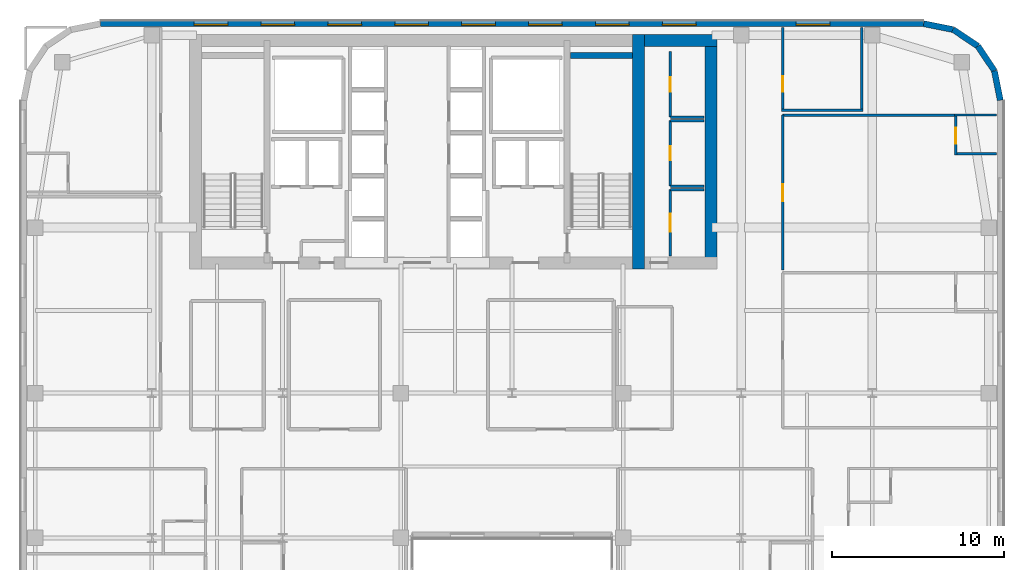
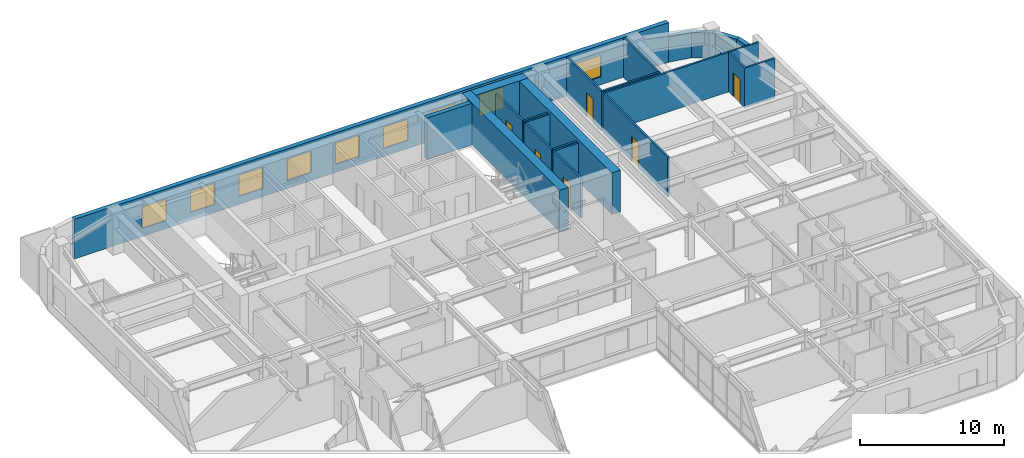
# One storey, part 19 of 25: 24 walls, 9 windows, 6 doors, 15 openings.
"""IFC4 building model written with IfcOpenShell, lengths in metres."""

from ifc_helpers import new_model, si_unit, direction, frame, frame_2d, origin, place, context, subcontext, project, spatial, rectangle, extrude, source, transform, mapped, material, layer, layer_set, type_object, type_shapes, element, fill, save


model = new_model("IFC4")

# Units and contexts
model_context = context("Model", 3, precision=1e-05, world=origin(), true_north=direction((0.0, 1.0)))
body_context = subcontext(model_context, "Body", "Model", "MODEL_VIEW")
ifc_project = project(units=[si_unit("LENGTHUNIT", "METRE"), si_unit("AREAUNIT", "SQUARE_METRE"), si_unit("VOLUMEUNIT", "CUBIC_METRE"), si_unit("PLANEANGLEUNIT", "RADIAN"), si_unit("MASSUNIT", "GRAM", prefix="KILO")], contexts=[model_context])

# Site, building, storey
site_placement = place(None, origin())
site = spatial("IfcSite", under=ifc_project, at=site_placement, CompositionType="ELEMENT")
building_placement = place(site_placement, origin())
building = spatial("IfcBuilding", under=site, at=building_placement, Name="Tolvann Quenvar Hotel", CompositionType="ELEMENT")
storey_placement = place(building_placement, frame((0.0, 0.0, 132.85009765625)))
storey = spatial("IfcBuildingStorey", under=building, at=storey_placement, Name="L34", CompositionType="ELEMENT", Elevation=132.85009765625)

# Walls
ifc_material_1 = material(Name="Concrete S65 (65 MPa)", Category="concrete")
ifc_layer_1 = layer(ifc_material_1, 0.699951171875)
ifc_layer_set_1 = layer_set([ifc_layer_1], Name="Concrete S65 (65 MPa)")
wall_type_1 = type_object("IfcWallType", Name="WALL_CORE_700", PredefinedType="SHEAR", material=ifc_layer_set_1)
wall_1_placement = place(storey_placement, frame((35.85009765625, 31.60009765625, 0.0), z_axis=(0.0, 0.0, 1.0), x_axis=(0.0, 1.0, 0.0)))
element("IfcWall", 1, at=wall_1_placement, inside=storey, type_object=wall_type_1, Name="Rear Core E Shear Wall (L34)", PredefinedType="SHEAR", context=body_context, shape_type="SweptSolid", body=[
    extrude(rectangle(XDim=13.599853515625, YDim=0.699951171875, at=frame_2d((6.7998046875, 0.0))), origin(), (0.0, 0.0, 1.0), 3.5498046875),
])
wall_2_placement = place(storey_placement, frame((36.199951171875, 44.85009765625, 0.0), z_axis=(0.0, 0.0, 1.0), x_axis=(1.0, 0.0, 0.0)))
element("IfcWall", 2, at=wall_2_placement, inside=storey, type_object=wall_type_1, Name="Core East Annex Shear Wall ANN-N (L34)", PredefinedType="SHEAR", context=body_context, shape_type="SweptSolid", body=[
    extrude(rectangle(XDim=4.199951171875, YDim=0.699951171875, at=frame_2d((2.10009765625, 0.0))), origin(), (0.0, 0.0, 1.0), 3.5498046875),
])
wall_3_placement = place(storey_placement, frame((40.050048828125, 31.60009765625, 0.0), z_axis=(0.0, 0.0, 1.0), x_axis=(0.0, 1.0, 0.0)))
element("IfcWall", 3, at=wall_3_placement, inside=storey, type_object=wall_type_1, Name="Core East Annex Shear Wall ANN-E (L34)", PredefinedType="SHEAR", context=body_context, shape_type="SweptSolid", body=[
    extrude(rectangle(XDim=13.599853515625, YDim=0.699951171875, at=frame_2d((6.7998046875, 0.0))), origin(), (0.0, 0.0, 1.0), 3.5498046875),
])
ifc_layer_2 = layer(ifc_material_1, 0.35009765625)
ifc_layer_set_2 = layer_set([ifc_layer_2], Name="Concrete S65 (65 MPa)")
wall_type_2 = type_object("IfcWallType", Name="WALL_CORE_INT_350", PredefinedType="SHEAR", material=ifc_layer_set_2)
wall_4_placement = place(storey_placement, frame((31.8798828125, 43.97509765625, 0.0), z_axis=(0.0, 0.0, 1.0), x_axis=(1.0, 0.0, 0.0)))
element("IfcWall", 4, at=wall_4_placement, inside=storey, type_object=wall_type_2, Name="Core Stair North Closing Shear Wall STC2-N (L34)", PredefinedType="SHEAR", context=body_context, shape_type="SweptSolid", body=[
    extrude(rectangle(XDim=3.60009765625, YDim=0.35009765625, at=frame_2d((1.800048828125, 0.0))), origin(), (0.0, 0.0, 1.0), 3.5498046875),
])
ifc_material_2 = material(Name="Kiln-fired red and buff architectural clay brickwork and terracotta masonry", Category="masonry")
ifc_layer_3 = layer(ifc_material_2, 0.35009765625)
ifc_layer_set_3 = layer_set([ifc_layer_3], Name="Kiln-fired red and buff architectural clay brickwork and terracotta masonry")
wall_type_3 = type_object("IfcWallType", Name="WALL_EXT_BRICK_350", PredefinedType="SOLIDWALL", material=ifc_layer_set_3)
wall_5_placement = place(storey_placement, frame((56.824951171875, 41.3828125, 0.0), z_axis=(0.0, 0.0, 1.0), x_axis=(-0.195011420161, 0.980800971659, 0.0)))
element("IfcWall", 5, at=wall_5_placement, inside=storey, type_object=wall_type_3, Name="Exterior Chicago Brick Wall L34-E14", PredefinedType="SOLIDWALL", context=body_context, shape_type="SweptSolid", body=[
    extrude(rectangle(XDim=1.74267578125, YDim=0.35009765625, at=frame_2d((0.871337890625, 0.0))), origin(), (0.0, 0.0, 1.0), 2.159912109375),
])
for number, where, z_axis, x_axis, name in (
    (6, (56.485107421875, 43.092041015625, 0.0), (0.0, 0.0, 1.0), (-0.55554893791, 0.831483840845, 0.0), "Exterior Chicago Brick Wall L34-E15"),
    (7, (55.526611328125, 44.526611328125, 0.0), (0.0, 0.0, 1.0), (-0.831483840845, 0.55554893791, 0.0), "Exterior Chicago Brick Wall L34-E16"),
):
    element("IfcWall", number, at=place(storey_placement, frame(where, z_axis=z_axis, x_axis=x_axis)), inside=storey, type_object=wall_type_3, Name=name, PredefinedType="SOLIDWALL", context=body_context, shape_type="SweptSolid", body=[
        extrude(rectangle(XDim=1.725341796875, YDim=0.35009765625, at=frame_2d((0.86279296875, 0.0))), origin(), (0.0, 0.0, 1.0), 2.159912109375),
    ])
wall_6_placement = place(storey_placement, frame((54.092041015625, 45.485107421875, 0.0), z_axis=(0.0, 0.0, 1.0), x_axis=(-0.980800971659, 0.195011420161, 0.0)))
element("IfcWall", 8, at=wall_6_placement, inside=storey, type_object=wall_type_3, Name="Exterior Chicago Brick Wall L34-E17", PredefinedType="SOLIDWALL", context=body_context, shape_type="SweptSolid", body=[
    extrude(rectangle(XDim=1.74267578125, YDim=0.35009765625, at=frame_2d((0.871337890625, 0.0))), origin(), (0.0, 0.0, 1.0), 2.159912109375),
])

# Wall, openings, windows
wall_7_placement = place(storey_placement, frame((52.3828125, 45.824951171875, 0.0), z_axis=(0.0, 0.0, 1.0), x_axis=(-1.0, 0.0, 0.0)))
wall_7 = element("IfcWall", 9, at=wall_7_placement, inside=storey, type_object=wall_type_3, Name="Exterior Chicago Brick Wall L34-E18", PredefinedType="SOLIDWALL", context=body_context, shape_type="SweptSolid", body=[
    extrude(rectangle(XDim=47.765625, YDim=0.35009765625, at=frame_2d((23.8828125, 0.0))), origin(), (0.0, 0.0, 1.0), 3.369873046875),
])
opening_1_placement = place(wall_7_placement, frame((5.446044921875, 0.0, 0.679931640625)))
opening_1 = element("IfcOpeningElement", 10, at=opening_1_placement, cuts=wall_7, Name="Opening W-10", PredefinedType="OPENING", context=body_context, shape_type="SweptSolid", body=[
    extrude(rectangle(XDim=1.949951171875, YDim=1.820068359375, at=frame_2d((0.97509765625, 0.91015625))), frame((0.0, 0.18505859375, 0.0), z_axis=(0.0, -1.0, 0.0), x_axis=(1.0, 0.0, 0.0)), (0.0, 0.0, 1.0), 0.3701171875),
])
opening_2_placement = place(wall_7_placement, frame((13.20703125, 0.0, 0.679931640625)))
opening_2 = element("IfcOpeningElement", 11, at=opening_2_placement, cuts=wall_7, Name="Opening W-10", PredefinedType="OPENING", context=body_context, shape_type="SweptSolid", body=[
    extrude(rectangle(XDim=1.949951171875, YDim=1.820068359375, at=frame_2d((0.97509765625, 0.91015625))), frame((0.0, 0.18505859375, 0.0), z_axis=(0.0, -1.0, 0.0), x_axis=(1.0, 0.0, 0.0)), (0.0, 0.0, 1.0), 0.3701171875),
])
opening_3_placement = place(wall_7_placement, frame((17.0869140625, 0.0, 0.679931640625)))
opening_3 = element("IfcOpeningElement", 12, at=opening_3_placement, cuts=wall_7, Name="Opening W-10", PredefinedType="OPENING", context=body_context, shape_type="SweptSolid", body=[
    extrude(rectangle(XDim=1.949951171875, YDim=1.820068359375, at=frame_2d((0.97509765625, 0.91015625))), frame((0.0, 0.18505859375, 0.0), z_axis=(0.0, -1.0, 0.0), x_axis=(1.0, 0.0, 0.0)), (0.0, 0.0, 1.0), 0.3701171875),
])
opening_4_placement = place(wall_7_placement, frame((20.968017578125, 0.0, 0.679931640625)))
opening_4 = element("IfcOpeningElement", 13, at=opening_4_placement, cuts=wall_7, Name="Opening W-10", PredefinedType="OPENING", context=body_context, shape_type="SweptSolid", body=[
    extrude(rectangle(XDim=1.949951171875, YDim=1.820068359375, at=frame_2d((0.97509765625, 0.91015625))), frame((0.0, 0.18505859375, 0.0), z_axis=(0.0, -1.0, 0.0), x_axis=(1.0, 0.0, 0.0)), (0.0, 0.0, 1.0), 0.3701171875),
])
opening_5_placement = place(wall_7_placement, frame((24.847900390625, 0.0, 0.679931640625)))
opening_5 = element("IfcOpeningElement", 14, at=opening_5_placement, cuts=wall_7, Name="Opening W-10", PredefinedType="OPENING", context=body_context, shape_type="SweptSolid", body=[
    extrude(rectangle(XDim=1.949951171875, YDim=1.820068359375, at=frame_2d((0.97509765625, 0.91015625))), frame((0.0, 0.18505859375, 0.0), z_axis=(0.0, -1.0, 0.0), x_axis=(1.0, 0.0, 0.0)), (0.0, 0.0, 1.0), 0.3701171875),
])
opening_6_placement = place(wall_7_placement, frame((28.72900390625, 0.0, 0.679931640625)))
opening_6 = element("IfcOpeningElement", 15, at=opening_6_placement, cuts=wall_7, Name="Opening W-10", PredefinedType="OPENING", context=body_context, shape_type="SweptSolid", body=[
    extrude(rectangle(XDim=1.949951171875, YDim=1.820068359375, at=frame_2d((0.97509765625, 0.91015625))), frame((0.0, 0.18505859375, 0.0), z_axis=(0.0, -1.0, 0.0), x_axis=(1.0, 0.0, 0.0)), (0.0, 0.0, 1.0), 0.3701171875),
])
opening_7_placement = place(wall_7_placement, frame((32.60888671875, 0.0, 0.679931640625)))
opening_7 = element("IfcOpeningElement", 16, at=opening_7_placement, cuts=wall_7, Name="Opening W-10", PredefinedType="OPENING", context=body_context, shape_type="SweptSolid", body=[
    extrude(rectangle(XDim=1.949951171875, YDim=1.820068359375, at=frame_2d((0.97509765625, 0.91015625))), frame((0.0, 0.18505859375, 0.0), z_axis=(0.0, -1.0, 0.0), x_axis=(1.0, 0.0, 0.0)), (0.0, 0.0, 1.0), 0.3701171875),
])
opening_8_placement = place(wall_7_placement, frame((36.489013671875, 0.0, 0.679931640625)))
opening_8 = element("IfcOpeningElement", 17, at=opening_8_placement, cuts=wall_7, Name="Opening W-10", PredefinedType="OPENING", context=body_context, shape_type="SweptSolid", body=[
    extrude(rectangle(XDim=1.949951171875, YDim=1.820068359375, at=frame_2d((0.97509765625, 0.91015625))), frame((0.0, 0.18505859375, 0.0), z_axis=(0.0, -1.0, 0.0), x_axis=(1.0, 0.0, 0.0)), (0.0, 0.0, 1.0), 0.3701171875),
])
opening_9_placement = place(wall_7_placement, frame((40.3701171875, 0.0, 0.679931640625)))
opening_9 = element("IfcOpeningElement", 18, at=opening_9_placement, cuts=wall_7, Name="Opening W-10", PredefinedType="OPENING", context=body_context, shape_type="SweptSolid", body=[
    extrude(rectangle(XDim=1.949951171875, YDim=1.820068359375, at=frame_2d((0.97509765625, 0.91015625))), frame((0.0, 0.18505859375, 0.0), z_axis=(0.0, -1.0, 0.0), x_axis=(1.0, 0.0, 0.0)), (0.0, 0.0, 1.0), 0.3701171875),
])
ifc_material_3 = material(Name="Thermally broken bronze-anodised aluminium frame with double low-E glazing", Category="aluminium")
window_type = type_object("IfcWindowType", Name="WIN_CLB_1950x1850", PartitioningType="DOUBLE_PANEL_VERTICAL", PredefinedType="WINDOW", material=ifc_material_3)
shared_shape_1 = source(origin(), body_context, "Body", "SweptSolid", [
    extrude(rectangle(XDim=1.949951171875, YDim=1.820068359375, at=frame_2d((0.97509765625, 0.91015625))), frame((0.0, 0.090087890625, 0.0), z_axis=(0.0, -1.0, 0.0), x_axis=(1.0, 0.0, 0.0)), (0.0, 0.0, 1.0), 0.06005859375),
])
type_shapes(window_type, [shared_shape_1])
window_1_placement = place(opening_1_placement, origin())
window_1 = element("IfcWindow", 19, at=window_1_placement, inside=storey, type_object=window_type, Name="Chicago Window W-10 (EW-L34-E18-W01)", OverallHeight=1.820068359375, OverallWidth=1.949951171875, PartitioningType="DOUBLE_PANEL_VERTICAL", PredefinedType="WINDOW", context=body_context, shape_type="MappedRepresentation", body=[
    mapped(shared_shape_1, transform((0.0, 0.0, 0.0), x_axis=(1.0, 0.0, 0.0), y_axis=(0.0, 1.0, 0.0), z_axis=(0.0, 0.0, 1.0), scale=1.0)),
])
fill(opening_1, window_1)
window_2_placement = place(opening_2_placement, origin())
window_2 = element("IfcWindow", 20, at=window_2_placement, inside=storey, type_object=window_type, Name="Chicago Window W-10 (EW-L34-E18-W02)", OverallHeight=1.820068359375, OverallWidth=1.949951171875, PartitioningType="DOUBLE_PANEL_VERTICAL", PredefinedType="WINDOW", context=body_context, shape_type="MappedRepresentation", body=[
    mapped(shared_shape_1, transform((0.0, 0.0, 0.0), x_axis=(1.0, 0.0, 0.0), y_axis=(0.0, 1.0, 0.0), z_axis=(0.0, 0.0, 1.0), scale=1.0)),
])
fill(opening_2, window_2)
window_3_placement = place(opening_3_placement, origin())
window_3 = element("IfcWindow", 21, at=window_3_placement, inside=storey, type_object=window_type, Name="Chicago Window W-10 (EW-L34-E18-W03)", OverallHeight=1.820068359375, OverallWidth=1.949951171875, PartitioningType="DOUBLE_PANEL_VERTICAL", PredefinedType="WINDOW", context=body_context, shape_type="MappedRepresentation", body=[
    mapped(shared_shape_1, transform((0.0, 0.0, 0.0), x_axis=(1.0, 0.0, 0.0), y_axis=(0.0, 1.0, 0.0), z_axis=(0.0, 0.0, 1.0), scale=1.0)),
])
fill(opening_3, window_3)
window_4_placement = place(opening_4_placement, origin())
window_4 = element("IfcWindow", 22, at=window_4_placement, inside=storey, type_object=window_type, Name="Chicago Window W-10 (EW-L34-E18-W04)", OverallHeight=1.820068359375, OverallWidth=1.949951171875, PartitioningType="DOUBLE_PANEL_VERTICAL", PredefinedType="WINDOW", context=body_context, shape_type="MappedRepresentation", body=[
    mapped(shared_shape_1, transform((0.0, 0.0, 0.0), x_axis=(1.0, 0.0, 0.0), y_axis=(0.0, 1.0, 0.0), z_axis=(0.0, 0.0, 1.0), scale=1.0)),
])
fill(opening_4, window_4)
window_5_placement = place(opening_5_placement, origin())
window_5 = element("IfcWindow", 23, at=window_5_placement, inside=storey, type_object=window_type, Name="Chicago Window W-10 (EW-L34-E18-W05)", OverallHeight=1.820068359375, OverallWidth=1.949951171875, PartitioningType="DOUBLE_PANEL_VERTICAL", PredefinedType="WINDOW", context=body_context, shape_type="MappedRepresentation", body=[
    mapped(shared_shape_1, transform((0.0, 0.0, 0.0), x_axis=(1.0, 0.0, 0.0), y_axis=(0.0, 1.0, 0.0), z_axis=(0.0, 0.0, 1.0), scale=1.0)),
])
fill(opening_5, window_5)
window_6_placement = place(opening_6_placement, origin())
window_6 = element("IfcWindow", 24, at=window_6_placement, inside=storey, type_object=window_type, Name="Chicago Window W-10 (EW-L34-E18-W06)", OverallHeight=1.820068359375, OverallWidth=1.949951171875, PartitioningType="DOUBLE_PANEL_VERTICAL", PredefinedType="WINDOW", context=body_context, shape_type="MappedRepresentation", body=[
    mapped(shared_shape_1, transform((0.0, 0.0, 0.0), x_axis=(1.0, 0.0, 0.0), y_axis=(0.0, 1.0, 0.0), z_axis=(0.0, 0.0, 1.0), scale=1.0)),
])
fill(opening_6, window_6)
window_7_placement = place(opening_7_placement, origin())
window_7 = element("IfcWindow", 25, at=window_7_placement, inside=storey, type_object=window_type, Name="Chicago Window W-10 (EW-L34-E18-W07)", OverallHeight=1.820068359375, OverallWidth=1.949951171875, PartitioningType="DOUBLE_PANEL_VERTICAL", PredefinedType="WINDOW", context=body_context, shape_type="MappedRepresentation", body=[
    mapped(shared_shape_1, transform((0.0, 0.0, 0.0), x_axis=(1.0, 0.0, 0.0), y_axis=(0.0, 1.0, 0.0), z_axis=(0.0, 0.0, 1.0), scale=1.0)),
])
fill(opening_7, window_7)
window_8_placement = place(opening_8_placement, origin())
window_8 = element("IfcWindow", 26, at=window_8_placement, inside=storey, type_object=window_type, Name="Chicago Window W-10 (EW-L34-E18-W08)", OverallHeight=1.820068359375, OverallWidth=1.949951171875, PartitioningType="DOUBLE_PANEL_VERTICAL", PredefinedType="WINDOW", context=body_context, shape_type="MappedRepresentation", body=[
    mapped(shared_shape_1, transform((0.0, 0.0, 0.0), x_axis=(1.0, 0.0, 0.0), y_axis=(0.0, 1.0, 0.0), z_axis=(0.0, 0.0, 1.0), scale=1.0)),
])
fill(opening_8, window_8)
window_9_placement = place(opening_9_placement, origin())
window_9 = element("IfcWindow", 27, at=window_9_placement, inside=storey, type_object=window_type, Name="Chicago Window W-10 (EW-L34-E18-W09)", OverallHeight=1.820068359375, OverallWidth=1.949951171875, PartitioningType="DOUBLE_PANEL_VERTICAL", PredefinedType="WINDOW", context=body_context, shape_type="MappedRepresentation", body=[
    mapped(shared_shape_1, transform((0.0, 0.0, 0.0), x_axis=(1.0, 0.0, 0.0), y_axis=(0.0, 1.0, 0.0), z_axis=(0.0, 0.0, 1.0), scale=1.0)),
])
fill(opening_9, window_9)

# Wall
ifc_material_4 = material(Name="Moisture-resistant acoustic plumbing wall assembly")
ifc_layer_4 = layer(ifc_material_4, 0.1201171875)
ifc_layer_set_4 = layer_set([ifc_layer_4], Name="Moisture-resistant acoustic plumbing wall assembly")
wall_type_4 = type_object("IfcWallType", Name="WALL_PART_BATH_120", PredefinedType="PLUMBINGWALL", material=ifc_layer_set_4)
wall_8_placement = place(storey_placement, frame((54.179931640625, 40.52001953125, 0.0), z_axis=(0.0, 0.0, 1.0), x_axis=(1.0, 0.0, 0.0)))
element("IfcWall", 28, at=wall_8_placement, inside=storey, type_object=wall_type_4, Name="Non-Rated Plumbing Partition PT-SPC-L34-ENS-NE02-N", PredefinedType="PLUMBINGWALL", context=body_context, shape_type="SweptSolid", body=[
    extrude(rectangle(XDim=2.4150390625, YDim=0.1201171875, at=frame_2d((1.20751953125, 0.0))), origin(), (0.0, 0.0, 1.0), 3.369873046875),
])

# Wall, opening, door
ifc_material_5 = material(Name="Acoustic twin-stud fire-rated gypsum plasterboard partition")
ifc_layer_5 = layer(ifc_material_5, 0.14990234375)
ifc_layer_set_5 = layer_set([ifc_layer_5], Name="Acoustic twin-stud fire-rated gypsum plasterboard partition")
wall_type_5 = type_object("IfcWallType", Name="WALL_PART_SUITE_150", PredefinedType="PARTITIONING", material=ifc_layer_set_5)
wall_9_placement = place(storey_placement, frame((54.25, 38.199951171875, 0.0), z_axis=(0.0, 0.0, 1.0), x_axis=(0.0, 1.0, 0.0)))
wall_9 = element("IfcWall", 29, at=wall_9_placement, inside=storey, type_object=wall_type_5, Name="Interior Partition PT-SPC-L34-ENS-NE02-ENT", PredefinedType="PARTITIONING", context=body_context, shape_type="SweptSolid", body=[
    extrude(rectangle(XDim=2.39013671875, YDim=0.14990234375, at=frame_2d((1.195068359375, 0.0))), origin(), (0.0, 0.0, 1.0), 3.369873046875),
])
opening_10_placement = place(wall_9_placement, frame((0.6650390625, 0.0, 0.0)))
opening_10 = element("IfcOpeningElement", 30, at=opening_10_placement, cuts=wall_9, Name="Opening WD-01", PredefinedType="OPENING", context=body_context, shape_type="SweptSolid", body=[
    extrude(rectangle(XDim=0.919921875, YDim=2.010009765625, at=frame_2d((0.4599609375, 1.0048828125))), frame((0.0, 0.0849609375, 0.0), z_axis=(0.0, -1.0, 0.0), x_axis=(1.0, 0.0, 0.0)), (0.0, 0.0, 1.0), 0.169921875),
])
ifc_material_6 = material(Name="Solid-core American oak acoustic fire door leaf in steel frame", Category="steel")
door_type_1 = type_object("IfcDoorType", Name="DOOR_WC_920", OperationType="NOTDEFINED", PredefinedType="DOOR", material=ifc_material_6)
shared_shape_2 = source(origin(), body_context, "Body", "SweptSolid", [
    extrude(rectangle(XDim=0.919921875, YDim=2.010009765625, at=frame_2d((0.4599609375, 1.0048828125))), frame((0.0, 0.02490234375, 0.0), z_axis=(0.0, -1.0, 0.0), x_axis=(1.0, 0.0, 0.0)), (0.0, 0.0, 1.0), 0.050048828125),
])
type_shapes(door_type_1, [shared_shape_2])
door_1_placement = place(opening_10_placement, origin())
door_1 = element("IfcDoor", 31, at=door_1_placement, inside=storey, type_object=door_type_1, Name="Interior Door DOOR-SPC-L34-ENS-NE02", OperationType="SINGLE_SWING_LEFT", OverallHeight=2.010009765625, OverallWidth=0.919921875, PredefinedType="DOOR", context=body_context, shape_type="MappedRepresentation", body=[
    mapped(shared_shape_2, transform((0.0, 0.0, 0.0), x_axis=(1.0, 0.0, 0.0), y_axis=(0.0, 1.0, 0.0), z_axis=(0.0, 0.0, 1.0), scale=1.0)),
])
fill(opening_10, door_1)

# Walls
wall_10_placement = place(storey_placement, frame((54.179931640625, 38.27001953125, 0.0), z_axis=(0.0, 0.0, 1.0), x_axis=(1.0, 0.0, 0.0)))
element("IfcWall", 32, at=wall_10_placement, inside=storey, type_object=wall_type_5, Name="Interior Partition PT-SPC-L34-ENS-NE02-S", PredefinedType="PARTITIONING", context=body_context, shape_type="SweptSolid", body=[
    extrude(rectangle(XDim=2.4150390625, YDim=0.14990234375, at=frame_2d((1.20751953125, 0.0))), origin(), (0.0, 0.0, 1.0), 3.369873046875),
])
wall_11_placement = place(storey_placement, frame((37.679931640625, 36.199951171875, 0.0), z_axis=(0.0, 0.0, 1.0), x_axis=(1.0, 0.0, 0.0)))
element("IfcWall", 33, at=wall_11_placement, inside=storey, type_object=wall_type_5, Name="Interior Partition PT-SPC-L34-RECPL-1-N", PredefinedType="PARTITIONING", context=body_context, shape_type="SweptSolid", body=[
    extrude(rectangle(XDim=1.965087890625, YDim=0.14990234375, at=frame_2d((0.982421875, 0.0))), origin(), (0.0, 0.0, 1.0), 3.369873046875),
])

# Wall, opening, door
wall_12_placement = place(storey_placement, frame((37.679931640625, 32.35498046875, 0.0), z_axis=(0.0, 0.0, 1.0), x_axis=(0.0, 1.0, 0.0)))
wall_12 = element("IfcWall", 34, at=wall_12_placement, inside=storey, type_object=wall_type_5, Name="Interior Partition PT-SPC-L34-RECPL-1-W", PredefinedType="PARTITIONING", context=body_context, shape_type="SweptSolid", body=[
    extrude(rectangle(XDim=3.844970703125, YDim=0.14990234375, at=frame_2d((1.92236328125, 0.0))), origin(), (0.0, 0.0, 1.0), 3.369873046875),
])
opening_11_placement = place(wall_12_placement, frame((1.41259765625, 0.0, 0.0)))
opening_11 = element("IfcOpeningElement", 35, at=opening_11_placement, cuts=wall_12, Name="Opening HD-01", PredefinedType="OPENING", context=body_context, shape_type="SweptSolid", body=[
    extrude(rectangle(XDim=1.02001953125, YDim=2.030029296875, at=frame_2d((0.510009765625, 1.01513671875))), frame((0.0, 0.0849609375, 0.0), z_axis=(0.0, -1.0, 0.0), x_axis=(1.0, 0.0, 0.0)), (0.0, 0.0, 1.0), 0.169921875),
])
ifc_material_7 = material(Name="Pressed galvanised steel fire-rated door set", Category="steel")
door_type_2 = type_object("IfcDoorType", Name="DOOR_BOH_1020", OperationType="NOTDEFINED", PredefinedType="DOOR", material=ifc_material_7)
shared_shape_3 = source(origin(), body_context, "Body", "SweptSolid", [
    extrude(rectangle(XDim=1.02001953125, YDim=2.030029296875, at=frame_2d((0.510009765625, 1.01513671875))), frame((0.0, 0.02490234375, 0.0), z_axis=(0.0, -1.0, 0.0), x_axis=(1.0, 0.0, 0.0)), (0.0, 0.0, 1.0), 0.050048828125),
])
type_shapes(door_type_2, [shared_shape_3])
door_2_placement = place(opening_11_placement, origin())
door_2 = element("IfcDoor", 36, at=door_2_placement, inside=storey, type_object=door_type_2, Name="Interior Door DOOR-SPC-L34-RECPL-1", OperationType="SINGLE_SWING_RIGHT", OverallHeight=2.030029296875, OverallWidth=1.02001953125, PredefinedType="DOOR", context=body_context, shape_type="MappedRepresentation", body=[
    mapped(shared_shape_3, transform((0.0, 0.0, 0.0), x_axis=(1.0, 0.0, 0.0), y_axis=(0.0, 1.0, 0.0), z_axis=(0.0, 0.0, 1.0), scale=1.0)),
])
fill(opening_11, door_2)

# Walls
for number, where, z_axis, x_axis, name in (
    (37, (37.679931640625, 36.39990234375, 0.0), (0.0, 0.0, 1.0), (1.0, 0.0, 0.0), "Interior Partition PT-SPC-L34-CSE-1-S"),
    (38, (37.679931640625, 40.199951171875, 0.0), (0.0, 0.0, 1.0), (1.0, 0.0, 0.0), "Interior Partition PT-SPC-L34-CSE-1-N"),
):
    element("IfcWall", number, at=place(storey_placement, frame(where, z_axis=z_axis, x_axis=x_axis)), inside=storey, type_object=wall_type_5, Name=name, PredefinedType="PARTITIONING", context=body_context, shape_type="SweptSolid", body=[
        extrude(rectangle(XDim=1.965087890625, YDim=0.14990234375, at=frame_2d((0.982421875, 0.0))), origin(), (0.0, 0.0, 1.0), 3.369873046875),
    ])

# Wall, opening, door
wall_13_placement = place(storey_placement, frame((37.679931640625, 36.39990234375, 0.0), z_axis=(0.0, 0.0, 1.0), x_axis=(0.0, 1.0, 0.0)))
wall_13 = element("IfcWall", 39, at=wall_13_placement, inside=storey, type_object=wall_type_5, Name="Interior Partition PT-SPC-L34-CSE-1-W", PredefinedType="PARTITIONING", context=body_context, shape_type="SweptSolid", body=[
    extrude(rectangle(XDim=3.800048828125, YDim=0.14990234375, at=frame_2d((1.89990234375, 0.0))), origin(), (0.0, 0.0, 1.0), 3.369873046875),
])
opening_12_placement = place(wall_13_placement, frame((1.489990234375, 0.0, 0.0)))
opening_12 = element("IfcOpeningElement", 40, at=opening_12_placement, cuts=wall_13, Name="Opening HD-02", PredefinedType="OPENING", context=body_context, shape_type="SweptSolid", body=[
    extrude(rectangle(XDim=0.820068359375, YDim=2.010009765625, at=frame_2d((0.41015625, 1.0048828125))), frame((0.0, 0.0849609375, 0.0), z_axis=(0.0, -1.0, 0.0), x_axis=(1.0, 0.0, 0.0)), (0.0, 0.0, 1.0), 0.169921875),
])
door_type_3 = type_object("IfcDoorType", Name="DOOR_STORE_820", OperationType="NOTDEFINED", PredefinedType="DOOR", material=ifc_material_7)
shared_shape_4 = source(origin(), body_context, "Body", "SweptSolid", [
    extrude(rectangle(XDim=0.820068359375, YDim=2.010009765625, at=frame_2d((0.41015625, 1.0048828125))), frame((0.0, 0.02490234375, 0.0), z_axis=(0.0, -1.0, 0.0), x_axis=(1.0, 0.0, 0.0)), (0.0, 0.0, 1.0), 0.050048828125),
])
type_shapes(door_type_3, [shared_shape_4])
door_3_placement = place(opening_12_placement, origin())
door_3 = element("IfcDoor", 41, at=door_3_placement, inside=storey, type_object=door_type_3, Name="Interior Door DOOR-SPC-L34-CSE-1", OperationType="SINGLE_SWING_LEFT", OverallHeight=2.010009765625, OverallWidth=0.820068359375, PredefinedType="DOOR", context=body_context, shape_type="MappedRepresentation", body=[
    mapped(shared_shape_4, transform((0.0, 0.0, 0.0), x_axis=(1.0, 0.0, 0.0), y_axis=(0.0, 1.0, 0.0), z_axis=(0.0, 0.0, 1.0), scale=1.0)),
])
fill(opening_12, door_3)

# Wall
wall_14_placement = place(storey_placement, frame((37.679931640625, 40.39990234375, 0.0), z_axis=(0.0, 0.0, 1.0), x_axis=(1.0, 0.0, 0.0)))
element("IfcWall", 42, at=wall_14_placement, inside=storey, type_object=wall_type_5, Name="Interior Partition PT-SPC-L34-CSE-2-S", PredefinedType="PARTITIONING", context=body_context, shape_type="SweptSolid", body=[
    extrude(rectangle(XDim=1.965087890625, YDim=0.14990234375, at=frame_2d((0.982421875, 0.0))), origin(), (0.0, 0.0, 1.0), 3.369873046875),
])

# Wall, opening, door
wall_15_placement = place(storey_placement, frame((37.679931640625, 40.39990234375, 0.0), z_axis=(0.0, 0.0, 1.0), x_axis=(0.0, 1.0, 0.0)))
wall_15 = element("IfcWall", 43, at=wall_15_placement, inside=storey, type_object=wall_type_5, Name="Interior Partition PT-SPC-L34-CSE-2-W", PredefinedType="PARTITIONING", context=body_context, shape_type="SweptSolid", body=[
    extrude(rectangle(XDim=3.800048828125, YDim=0.14990234375, at=frame_2d((1.89990234375, 0.0))), origin(), (0.0, 0.0, 1.0), 3.369873046875),
])
opening_13_placement = place(wall_15_placement, frame((1.489990234375, 0.0, 0.0)))
opening_13 = element("IfcOpeningElement", 44, at=opening_13_placement, cuts=wall_15, Name="Opening HD-02", PredefinedType="OPENING", context=body_context, shape_type="SweptSolid", body=[
    extrude(rectangle(XDim=0.820068359375, YDim=2.010009765625, at=frame_2d((0.41015625, 1.0048828125))), frame((0.0, 0.0849609375, 0.0), z_axis=(0.0, -1.0, 0.0), x_axis=(1.0, 0.0, 0.0)), (0.0, 0.0, 1.0), 0.169921875),
])
door_4_placement = place(opening_13_placement, origin())
door_4 = element("IfcDoor", 45, at=door_4_placement, inside=storey, type_object=door_type_3, Name="Interior Door DOOR-SPC-L34-CSE-2", OperationType="SINGLE_SWING_RIGHT", OverallHeight=2.010009765625, OverallWidth=0.820068359375, PredefinedType="DOOR", context=body_context, shape_type="MappedRepresentation", body=[
    mapped(shared_shape_4, transform((0.0, 0.0, 0.0), x_axis=(1.0, 0.0, 0.0), y_axis=(0.0, 1.0, 0.0), z_axis=(0.0, 0.0, 1.0), scale=1.0)),
])
fill(opening_13, door_4)

wall_16_placement = place(storey_placement, frame((44.199951171875, 31.530029296875, 0.0), z_axis=(0.0, 0.0, 1.0), x_axis=(0.0, 1.0, 0.0)))
wall_16 = element("IfcWall", 46, at=wall_16_placement, inside=storey, type_object=wall_type_5, Name="Interior Partition PT-SPC-L34-RM-NE02-ENT", PredefinedType="PARTITIONING", context=body_context, shape_type="SweptSolid", body=[
    extrude(rectangle(XDim=8.989990234375, YDim=0.14990234375, at=frame_2d((4.4951171875, 0.0))), origin(), (0.0, 0.0, 1.0), 3.369873046875),
])
opening_14_placement = place(wall_16_placement, frame((4.0048828125, 0.0, 0.0)))
opening_14 = element("IfcOpeningElement", 47, at=opening_14_placement, cuts=wall_16, Name="Opening SD-01", PredefinedType="OPENING", context=body_context, shape_type="SweptSolid", body=[
    extrude(rectangle(XDim=0.97998046875, YDim=2.1201171875, at=frame_2d((0.489990234375, 1.06005859375))), frame((0.0, 0.0849609375, 0.0), z_axis=(0.0, -1.0, 0.0), x_axis=(1.0, 0.0, 0.0)), (0.0, 0.0, 1.0), 0.169921875),
])
door_type_4 = type_object("IfcDoorType", Name="DOOR_SUITE_980", OperationType="NOTDEFINED", PredefinedType="DOOR", material=ifc_material_6)
shared_shape_5 = source(origin(), body_context, "Body", "SweptSolid", [
    extrude(rectangle(XDim=0.97998046875, YDim=2.1201171875, at=frame_2d((0.489990234375, 1.06005859375))), frame((0.0, 0.02490234375, 0.0), z_axis=(0.0, -1.0, 0.0), x_axis=(1.0, 0.0, 0.0)), (0.0, 0.0, 1.0), 0.050048828125),
])
type_shapes(door_type_4, [shared_shape_5])
door_5_placement = place(opening_14_placement, origin())
door_5 = element("IfcDoor", 48, at=door_5_placement, inside=storey, type_object=door_type_4, Name="Interior Door DOOR-SPC-L34-RM-NE02", OperationType="SINGLE_SWING_LEFT", OverallHeight=2.1201171875, OverallWidth=0.97998046875, PredefinedType="DOOR", context=body_context, shape_type="MappedRepresentation", body=[
    mapped(shared_shape_5, transform((0.0, 0.0, 0.0), x_axis=(1.0, 0.0, 0.0), y_axis=(0.0, 1.0, 0.0), z_axis=(0.0, 0.0, 1.0), scale=1.0)),
])
fill(opening_14, door_5)

# Wall
wall_17_placement = place(storey_placement, frame((44.199951171875, 40.52001953125, 0.0), z_axis=(0.0, 0.0, 1.0), x_axis=(1.0, 0.0, 0.0)))
element("IfcWall", 49, at=wall_17_placement, inside=storey, type_object=wall_type_5, Name="Interior Partition PT-SPC-L34-RM-NE02-E5", PredefinedType="PARTITIONING", context=body_context, shape_type="SweptSolid", body=[
    extrude(rectangle(XDim=10.030029296875, YDim=0.14990234375, at=frame_2d((5.01513671875, 0.0))), origin(), (0.0, 0.0, 1.0), 3.369873046875),
])

# Wall, opening, door
wall_18_placement = place(storey_placement, frame((44.199951171875, 40.72998046875, 0.0), z_axis=(0.0, 0.0, 1.0), x_axis=(0.0, 1.0, 0.0)))
wall_18 = element("IfcWall", 50, at=wall_18_placement, inside=storey, type_object=wall_type_5, Name="Interior Partition PT-SPC-L34-WCA-ENT", PredefinedType="PARTITIONING", context=body_context, shape_type="SweptSolid", body=[
    extrude(rectangle(XDim=4.864990234375, YDim=0.14990234375, at=frame_2d((2.4326171875, 0.0))), origin(), (0.0, 0.0, 1.0), 3.369873046875),
])
opening_15_placement = place(wall_18_placement, frame((1.139892578125, 0.0, 0.0)))
opening_15 = element("IfcOpeningElement", 51, at=opening_15_placement, cuts=wall_18, Name="Opening WD-01", PredefinedType="OPENING", context=body_context, shape_type="SweptSolid", body=[
    extrude(rectangle(XDim=0.919921875, YDim=2.010009765625, at=frame_2d((0.4599609375, 1.0048828125))), frame((0.0, 0.0849609375, 0.0), z_axis=(0.0, -1.0, 0.0), x_axis=(1.0, 0.0, 0.0)), (0.0, 0.0, 1.0), 0.169921875),
])
door_6_placement = place(opening_15_placement, origin())
door_6 = element("IfcDoor", 52, at=door_6_placement, inside=storey, type_object=door_type_1, Name="Interior Door DOOR-SPC-L34-WCA", OperationType="SINGLE_SWING_RIGHT", OverallHeight=2.010009765625, OverallWidth=0.919921875, PredefinedType="DOOR", context=body_context, shape_type="MappedRepresentation", body=[
    mapped(shared_shape_2, transform((0.0, 0.0, 0.0), x_axis=(1.0, 0.0, 0.0), y_axis=(0.0, 1.0, 0.0), z_axis=(0.0, 0.0, 1.0), scale=1.0)),
])
fill(opening_15, door_6)

# Walls
wall_19_placement = place(storey_placement, frame((44.1298828125, 40.800048828125, 0.0), z_axis=(0.0, 0.0, 1.0), x_axis=(1.0, 0.0, 0.0)))
element("IfcWall", 53, at=wall_19_placement, inside=storey, type_object=wall_type_5, Name="Interior Partition PT-SPC-L34-WCA-S", PredefinedType="PARTITIONING", context=body_context, shape_type="SweptSolid", body=[
    extrude(rectangle(XDim=4.740234375, YDim=0.14990234375, at=frame_2d((2.3701171875, 0.0))), origin(), (0.0, 0.0, 1.0), 3.369873046875),
])
wall_20_placement = place(storey_placement, frame((48.800048828125, 40.72998046875, 0.0), z_axis=(0.0, 0.0, 1.0), x_axis=(0.0, 1.0, 0.0)))
element("IfcWall", 54, at=wall_20_placement, inside=storey, type_object=wall_type_5, Name="Interior Partition PT-SPC-L34-WCA-E", PredefinedType="PARTITIONING", context=body_context, shape_type="SweptSolid", body=[
    extrude(rectangle(XDim=4.864990234375, YDim=0.14990234375, at=frame_2d((2.4326171875, 0.0))), origin(), (0.0, 0.0, 1.0), 3.369873046875),
])

save(model, "model.ifc")
